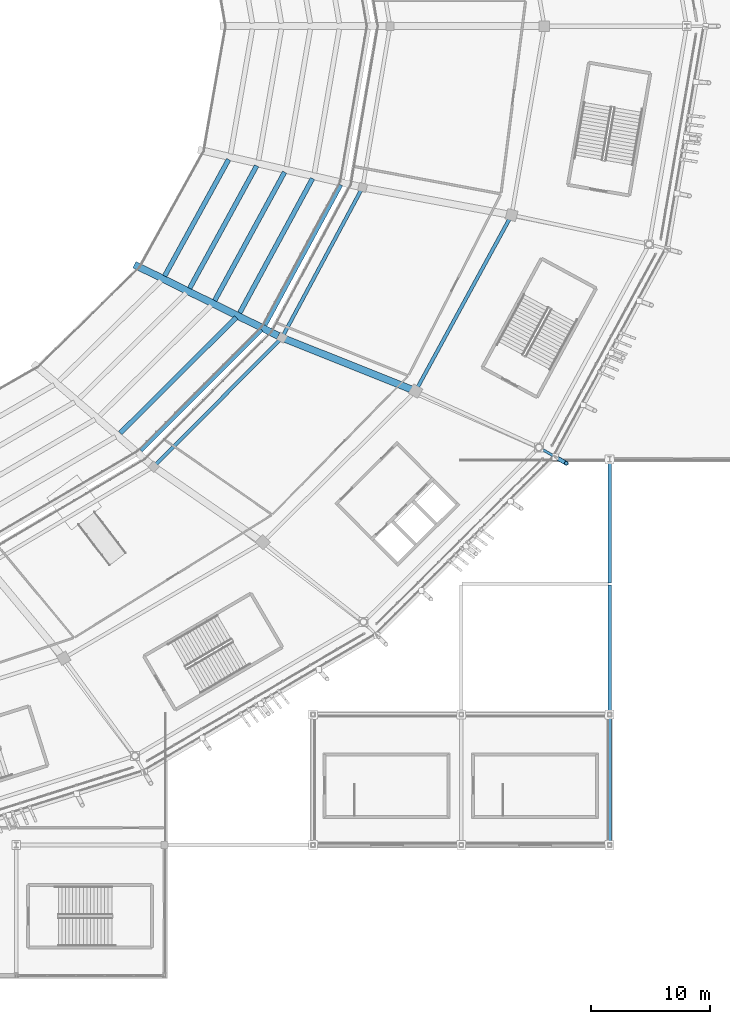
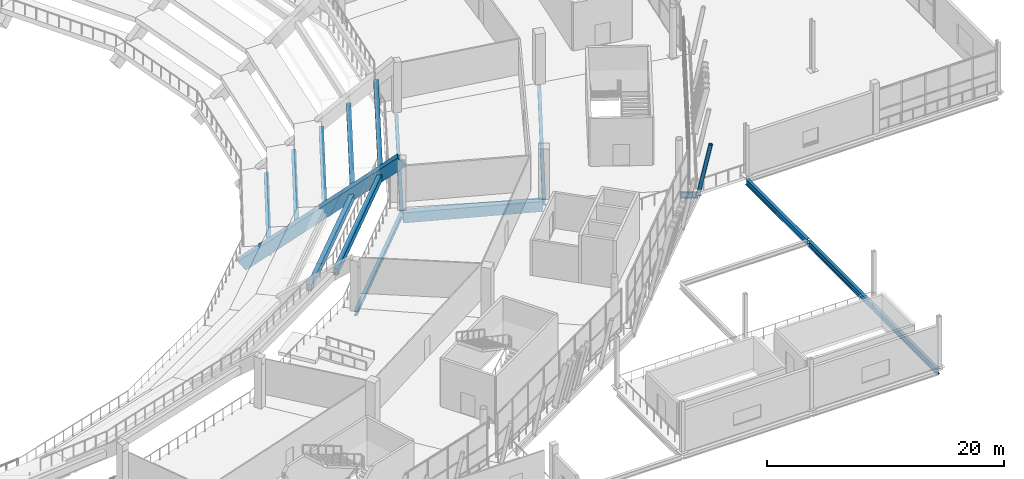
# One storey, part 58 of 178: 16 beams, 1 member.
"""IFC4 building model written with IfcOpenShell, lengths in metres."""

from ifc_helpers import new_model, si_unit, direction, frame, origin, origin_2d, place, context, subcontext, project, spatial, rectangle, hollow_circle, i_section, extrude, material, material_profile, profile_set, type_object, element, save


model = new_model("IFC4")

# Units and contexts
model_context = context("Model", 3, precision=1e-05, world=origin(), true_north=direction((0.0, 1.0)))
body_context = subcontext(model_context, "Body", "Model", "MODEL_VIEW")
ifc_project = project(units=[si_unit("LENGTHUNIT", "METRE"), si_unit("AREAUNIT", "SQUARE_METRE"), si_unit("VOLUMEUNIT", "CUBIC_METRE"), si_unit("PLANEANGLEUNIT", "RADIAN"), si_unit("MASSUNIT", "GRAM", prefix="KILO")], contexts=[model_context])

# Site, building, storey
site_placement = place(None, origin())
site = spatial("IfcSite", under=ifc_project, at=site_placement, CompositionType="ELEMENT")
building_placement = place(site_placement, origin())
building = spatial("IfcBuilding", under=site, at=building_placement, Name="Zlatoyarsky Gate Stadium", CompositionType="ELEMENT")
storey_placement = place(building_placement, frame((0.0, 0.0, 5.39990234375)))
storey = spatial("IfcBuildingStorey", under=building, at=storey_placement, Name="L01", CompositionType="ELEMENT", Elevation=5.39990234375)

# Beams
ifc_material_1 = material(Name="Concrete C40/50", Category="concrete")
ifc_material_profile_1 = material_profile(ifc_material_1, rectangle(XDim=0.39990234375, YDim=0.699951171875, at=origin_2d()), Name="RC BEAM 400X700")
ifc_profile_set_1 = profile_set([ifc_material_profile_1], Name="Concrete C40/50")
beam_type_1 = type_object("IfcBeamType", Name="CONCRETE FLOOR BEAM 400X700", PredefinedType="BEAM", material=ifc_profile_set_1)
beam_1_placement = place(storey_placement, frame((156.26220703125, 45.7119140625, 1.47998046875), z_axis=(0.708440933022, 0.705770107343, 0.0), x_axis=(-0.705770107343, 0.708440933022, 0.0)))
element("IfcBeam", 1, at=beam_1_placement, inside=storey, type_object=beam_type_1, Name="Lower bowl step tie beam 21.4", PredefinedType="BEAM", context=body_context, shape_type="SweptSolid", body=[
    extrude(rectangle(XDim=0.39990234375, YDim=0.699951171875, at=origin_2d()), origin(), (0.0, 0.0, 1.0), 13.802978515625),
])
beam_2_placement = place(storey_placement, frame((157.9873046875, 44.255859375, 3.380126953125), z_axis=(0.707089801183, 0.707123760782, 0.0), x_axis=(-0.707123760782, 0.707089801183, 0.0)))
element("IfcBeam", 2, at=beam_2_placement, inside=storey, type_object=beam_type_1, Name="Lower bowl step tie beam 21.5", PredefinedType="BEAM", context=body_context, shape_type="SweptSolid", body=[
    extrude(rectangle(XDim=0.39990234375, YDim=0.699951171875, at=origin_2d()), origin(), (0.0, 0.0, 1.0), 14.37841796875),
])
beam_3_placement = place(storey_placement, frame((159.998779296875, 58.939208984375, -4.219970703125), z_axis=(0.48145139023, 0.876472794127, 0.0), x_axis=(-0.876472794127, 0.48145139023, 0.0)))
element("IfcBeam", 3, at=beam_3_placement, inside=storey, type_object=beam_type_1, Name="Lower bowl step tie beam 22.1", PredefinedType="BEAM", context=body_context, shape_type="SweptSolid", body=[
    extrude(rectangle(XDim=0.39990234375, YDim=0.699951171875, at=origin_2d()), origin(), (0.0, 0.0, 1.0), 11.21142578125),
])
beam_4_placement = place(storey_placement, frame((162.111572265625, 57.909423828125, -2.31982421875), z_axis=(0.479621127395, 0.877475682943, 0.0), x_axis=(-0.877475682943, 0.479621127395, 0.0)))
element("IfcBeam", 4, at=beam_4_placement, inside=storey, type_object=beam_type_1, Name="Lower bowl step tie beam 22.2", PredefinedType="BEAM", context=body_context, shape_type="SweptSolid", body=[
    extrude(rectangle(XDim=0.39990234375, YDim=0.699951171875, at=origin_2d()), origin(), (0.0, 0.0, 1.0), 11.76416015625),
])
beam_5_placement = place(storey_placement, frame((164.22412109375, 56.879638671875, -0.419921875), z_axis=(0.477953351943, 0.878385219233, 0.0), x_axis=(-0.878385219233, 0.477953351943, 0.0)))
element("IfcBeam", 5, at=beam_5_placement, inside=storey, type_object=beam_type_1, Name="Lower bowl step tie beam 22.3", PredefinedType="BEAM", context=body_context, shape_type="SweptSolid", body=[
    extrude(rectangle(XDim=0.39990234375, YDim=0.699951171875, at=origin_2d()), origin(), (0.0, 0.0, 1.0), 12.317138671875),
])
beam_6_placement = place(storey_placement, frame((166.3369140625, 55.849853515625, 1.47998046875), z_axis=(0.476412699591, 0.879221780706, 0.0), x_axis=(-0.879221780706, 0.476412699591, 0.0)))
element("IfcBeam", 6, at=beam_6_placement, inside=storey, type_object=beam_type_1, Name="Lower bowl step tie beam 22.4", PredefinedType="BEAM", context=body_context, shape_type="SweptSolid", body=[
    extrude(rectangle(XDim=0.39990234375, YDim=0.699951171875, at=origin_2d()), origin(), (0.0, 0.0, 1.0), 12.869873046875),
])
beam_7_placement = place(storey_placement, frame((168.44970703125, 54.820068359375, 3.380126953125), z_axis=(0.47500414589, 0.879983557453, 0.0), x_axis=(-0.879983557453, 0.47500414589, 0.0)))
element("IfcBeam", 7, at=beam_7_placement, inside=storey, type_object=beam_type_1, Name="Lower bowl step tie beam 22.5", PredefinedType="BEAM", context=body_context, shape_type="SweptSolid", body=[
    extrude(rectangle(XDim=0.39990234375, YDim=0.699951171875, at=origin_2d()), origin(), (0.0, 0.0, 1.0), 13.423095703125),
])
ifc_material_profile_2 = material_profile(ifc_material_1, rectangle(XDim=0.60009765625, YDim=1.050048828125, at=origin_2d()), Name="RC GIRDER 600X1050")
ifc_profile_set_2 = profile_set([ifc_material_profile_2], Name="Concrete C40/50")
beam_type_2 = type_object("IfcBeamType", Name="CONCRETE PRIMARY GIRDER 600X1050", PredefinedType="T_BEAM", material=ifc_profile_set_2)
beam_8_placement = place(storey_placement, frame((170.001220703125, 53.70556640625, -0.824951171875), z_axis=(0.928564503985, -0.371171068295, 0.0), x_axis=(0.371171068295, 0.928564503985, 0.0)))
element("IfcBeam", 8, at=beam_8_placement, inside=storey, type_object=beam_type_2, Name="Beam G-RC105 BM-L01-RAB-22", PredefinedType="T_BEAM", context=body_context, shape_type="SweptSolid", body=[
    extrude(rectangle(XDim=0.60009765625, YDim=1.050048828125, at=origin_2d()), origin(), (0.0, 0.0, 1.0), 11.88427734375),
])
ifc_material_2 = material(Name="Precast concrete C40/50", Category="concrete")
ifc_material_profile_3 = material_profile(ifc_material_2, rectangle(XDim=0.60009765625, YDim=1.14990234375, at=origin_2d()), Name="PC RAKER 600X1150")
ifc_profile_set_3 = profile_set([ifc_material_profile_3], Name="Precast concrete C40/50")
beam_type_3 = type_object("IfcBeamType", Name="PRECAST LOWER BOWL RAKER 600X1150", PredefinedType="USERDEFINED", material=ifc_profile_set_3)
beam_9_placement = place(storey_placement, frame((157.765380859375, 59.75, -5.14990234375), z_axis=(0.718167235443, -0.355403193215, 0.598267826469), x_axis=(0.443535350711, 0.896256878729, 0.0)))
element("IfcBeam", 9, at=beam_9_placement, inside=storey, type_object=beam_type_3, Name="Lower bowl radial raker 22", ObjectType="RAKER", PredefinedType="USERDEFINED", context=body_context, shape_type="SweptSolid", body=[
    extrude(rectangle(XDim=0.60009765625, YDim=1.14990234375, at=origin_2d()), origin(), (0.0, 0.0, 1.0), 16.88232421875),
])
ifc_material_3 = material(Name="Steel S355", Category="steel")
ifc_material_profile_4 = material_profile(ifc_material_3, i_section(OverallWidth=0.219970703125, OverallDepth=0.60009765625, WebThickness=0.011962890625, FlangeThickness=0.01904296875, FilletRadius=0.02392578125, at=origin_2d()), Name="IPE 600")
ifc_profile_set_4 = profile_set([ifc_material_profile_4], Name="Steel S355")
beam_type_4 = type_object("IfcBeamType", Name="STEEL CANTILEVER FLOOR BEAM IPE 600", PredefinedType="BEAM", material=ifc_profile_set_4)
beam_10_placement = place(storey_placement, frame((191.644287109375, 44.43994140625, -0.599853515625), z_axis=(0.866054481515, -0.499949632511, 0.0), x_axis=(0.499949632511, 0.866054481515, 0.0)))
element("IfcBeam", 10, at=beam_10_placement, inside=storey, type_object=beam_type_4, Name="Beam B-IPE600 BM-L01-OUT-22", PredefinedType="BEAM", context=body_context, shape_type="SweptSolid", body=[
    extrude(i_section(OverallWidth=0.219970703125, OverallDepth=0.60009765625, WebThickness=0.011962890625, FlangeThickness=0.01904296875, FilletRadius=0.02392578125, at=origin_2d()), origin(), (0.0, 0.0, 1.0), 1.488525390625),
])

# Member
ifc_material_profile_5 = material_profile(ifc_material_3, hollow_circle(Radius=0.177734375, WallThickness=0.02001953125, at=origin_2d()), Name="CHS 355.6X20")
ifc_profile_set_5 = profile_set([ifc_material_profile_5], Name="Steel S355")
member_type = type_object("IfcMemberType", Name="STEEL LEANING RIB RING STRUT CHS 355.6X20", PredefinedType="STRUT", material=ifc_profile_set_5)
member_placement = place(storey_placement, frame((192.933349609375, 43.69580078125, -0.599853515625), z_axis=(0.173528176183, -0.100167043342, 0.979721662259), x_axis=(0.499927021214, 0.866067534006, 0.0)))
element("IfcMember", 11, at=member_placement, inside=storey, type_object=member_type, Name="Leaning ring strut 22 L01 to L02", PredefinedType="STRUT", context=body_context, shape_type="SweptSolid", body=[
    extrude(hollow_circle(Radius=0.177734375, WallThickness=0.02001953125, at=origin_2d()), origin(), (0.0, 0.0, 1.0), 5.328125),
])

# Beams
ifc_material_profile_6 = material_profile(ifc_material_3, i_section(OverallWidth=0.300048828125, OverallDepth=0.5, WebThickness=0.014404296875, FlangeThickness=0.028076171875, FilletRadius=0.027099609375, at=origin_2d()), Name="HEB 500")
ifc_profile_set_6 = profile_set([ifc_material_profile_6], Name="Steel S355")
beam_type_5 = type_object("IfcBeamType", Name="STEEL PRIMARY GIRDER HEB 500", PredefinedType="BEAM", material=ifc_profile_set_6)
beam_11_placement = place(storey_placement, frame((159.16796875, 42.9619140625, -0.5498046875), z_axis=(0.704927331607, 0.709279533861, 0.0), x_axis=(-0.709279533861, 0.704927331607, 0.0)))
element("IfcBeam", 12, at=beam_11_placement, inside=storey, type_object=beam_type_5, Name="Beam G-HEB500 BM-L01-CRA-21", PredefinedType="BEAM", context=body_context, shape_type="SweptSolid", body=[
    extrude(i_section(OverallWidth=0.300048828125, OverallDepth=0.5, WebThickness=0.014404296875, FlangeThickness=0.028076171875, FilletRadius=0.027099609375, at=origin_2d()), origin(), (0.0, 0.0, 1.0), 15.08984375),
])
beam_12_placement = place(storey_placement, frame((169.9462890625, 53.855712890625, -0.5498046875), z_axis=(0.472766984781, 0.881187481812, 0.0), x_axis=(-0.881187481812, 0.472766984781, 0.0)))
element("IfcBeam", 13, at=beam_12_placement, inside=storey, type_object=beam_type_5, Name="Beam G-HEB500 BM-L01-CRA-22", PredefinedType="BEAM", context=body_context, shape_type="SweptSolid", body=[
    extrude(i_section(OverallWidth=0.300048828125, OverallDepth=0.5, WebThickness=0.014404296875, FlangeThickness=0.028076171875, FilletRadius=0.027099609375, at=origin_2d()), origin(), (0.0, 0.0, 1.0), 14.12939453125),
])
ifc_material_profile_7 = material_profile(ifc_material_3, i_section(OverallWidth=0.300048828125, OverallDepth=0.60009765625, WebThickness=0.015380859375, FlangeThickness=0.030029296875, FilletRadius=0.027099609375, at=origin_2d()), Name="HEB 600")
ifc_profile_set_7 = profile_set([ifc_material_profile_7], Name="Steel S355")
beam_type_6 = type_object("IfcBeamType", Name="STEEL PRIMARY GIRDER HEB 600", PredefinedType="BEAM", material=ifc_profile_set_7)
for number, where, z_axis, x_axis, name in (
    (14, (197.5, 11.080078125, -0.599853515625), (0.0, 1.0, 0.0), (-1.0, 0.0, 0.0), "Beam G-HEB600 BM-L01-WGY-17-B"),
    (15, (197.5, 22.080078125, -0.599853515625), (0.0, 1.0, 0.0), (-1.0, 0.0, 0.0), "Beam G-HEB600 BM-L01-WGY-17-C"),
):
    element("IfcBeam", number, at=place(storey_placement, frame(where, z_axis=z_axis, x_axis=x_axis)), inside=storey, type_object=beam_type_6, Name=name, PredefinedType="BEAM", context=body_context, shape_type="SweptSolid", body=[
        extrude(i_section(OverallWidth=0.300048828125, OverallDepth=0.60009765625, WebThickness=0.015380859375, FlangeThickness=0.030029296875, FilletRadius=0.027099609375, at=origin_2d()), origin(), (0.0, 0.0, 1.0), 10.83984375),
    ])
beam_13_placement = place(storey_placement, frame((197.5, 33.080078125, -0.599853515625), z_axis=(0.0, 1.0, 0.0), x_axis=(-1.0, 0.0, 0.0)))
element("IfcBeam", 16, at=beam_13_placement, inside=storey, type_object=beam_type_6, Name="Beam G-HEB600 BM-L01-WGY-17-D", PredefinedType="BEAM", context=body_context, shape_type="SweptSolid", body=[
    extrude(i_section(OverallWidth=0.300048828125, OverallDepth=0.60009765625, WebThickness=0.015380859375, FlangeThickness=0.030029296875, FilletRadius=0.027099609375, at=origin_2d()), origin(), (0.0, 0.0, 1.0), 10.33984375),
])
ifc_material_profile_8 = material_profile(ifc_material_3, i_section(OverallWidth=0.300048828125, OverallDepth=0.699951171875, WebThickness=0.01708984375, FlangeThickness=0.031982421875, FilletRadius=0.027099609375, at=origin_2d()), Name="HEB 700")
ifc_profile_set_8 = profile_set([ifc_material_profile_8], Name="Steel S355")
beam_type_7 = type_object("IfcBeamType", Name="STEEL PRIMARY GIRDER HEB 700", PredefinedType="BEAM", material=ifc_profile_set_8)
beam_14_placement = place(storey_placement, frame((181.20556640625, 49.355224609375, -0.64990234375), z_axis=(0.478915800408, 0.877860840976, 0.0), x_axis=(-0.877860840976, 0.478915800408, 0.0)))
element("IfcBeam", 17, at=beam_14_placement, inside=storey, type_object=beam_type_7, Name="Beam G-HEB700 BM-L01-CRB-22", PredefinedType="BEAM", context=body_context, shape_type="SweptSolid", body=[
    extrude(i_section(OverallWidth=0.300048828125, OverallDepth=0.699951171875, WebThickness=0.01708984375, FlangeThickness=0.031982421875, FilletRadius=0.027099609375, at=origin_2d()), origin(), (0.0, 0.0, 1.0), 16.656494140625),
])

save(model, "model.ifc")
